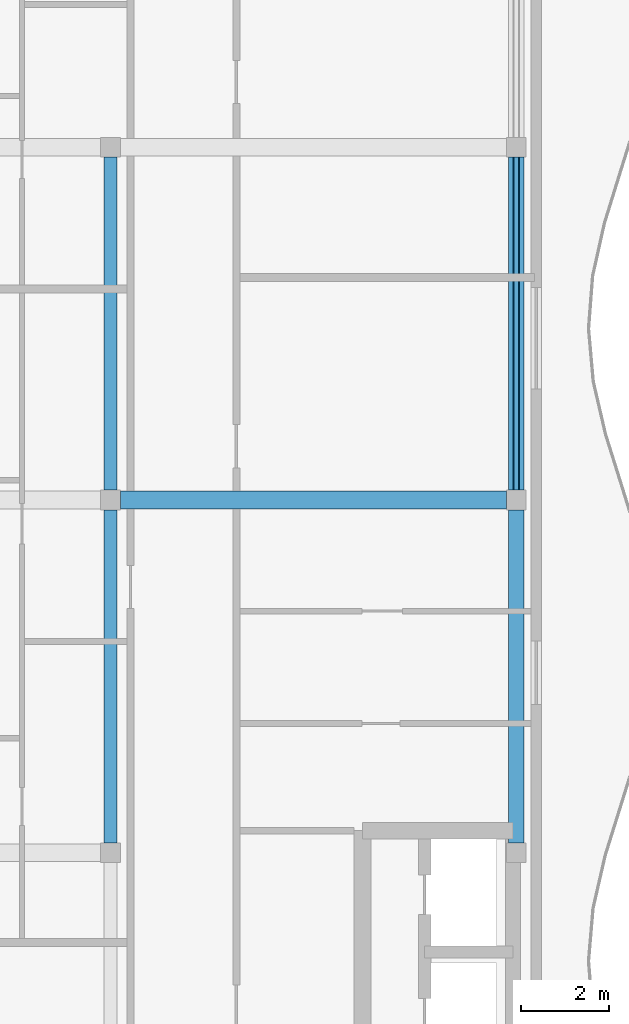
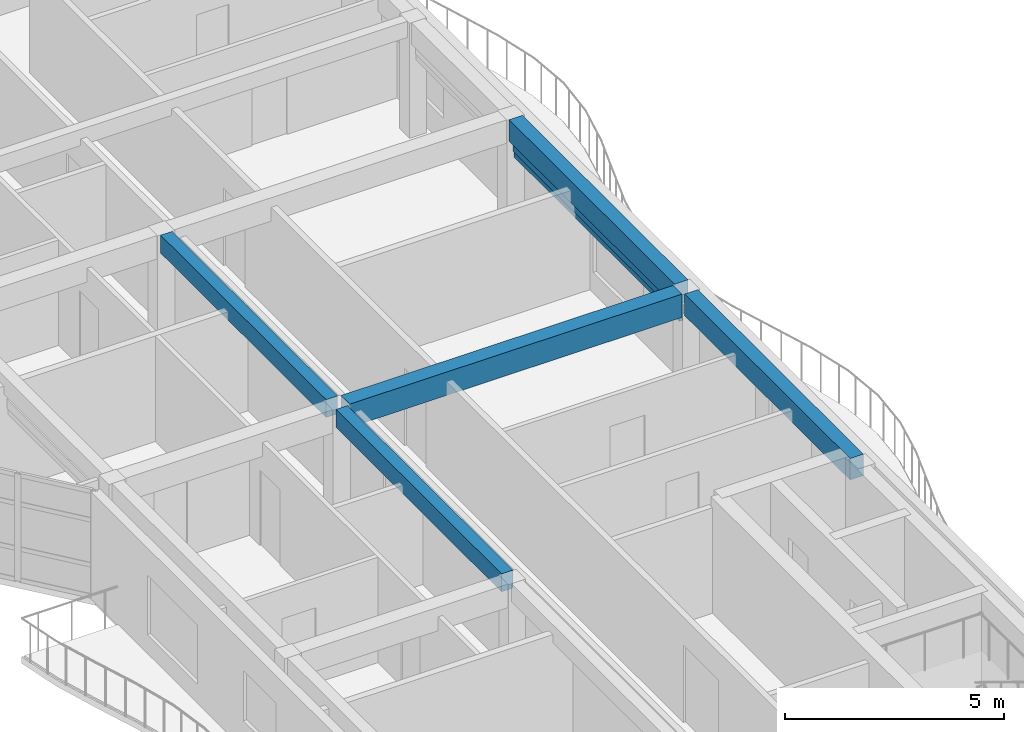
# One storey, part 6 of 18: 5 beams, 2 members.
"""IFC4 building model written with IfcOpenShell, lengths in metres."""

from ifc_helpers import new_model, si_unit, direction, frame, origin, origin_2d, place, context, subcontext, project, spatial, rectangle, hollow_rectangle, extrude, material, material_profile, profile_set, type_object, element, save


model = new_model("IFC4")

# Units and contexts
model_context = context("Model", 3, precision=1e-05, world=origin(), true_north=direction((0.0, 1.0)))
body_context = subcontext(model_context, "Body", "Model", "MODEL_VIEW")
ifc_project = project(units=[si_unit("LENGTHUNIT", "METRE"), si_unit("AREAUNIT", "SQUARE_METRE"), si_unit("VOLUMEUNIT", "CUBIC_METRE"), si_unit("PLANEANGLEUNIT", "RADIAN"), si_unit("MASSUNIT", "GRAM", prefix="KILO")], contexts=[model_context])

# Site, building, storey
site_placement = place(None, origin())
site = spatial("IfcSite", under=ifc_project, at=site_placement, CompositionType="ELEMENT")
building_placement = place(site_placement, origin())
building = spatial("IfcBuilding", under=site, at=building_placement, Name="Keldmere Railside Commons", CompositionType="ELEMENT")
storey_placement = place(building_placement, frame((0.0, 0.0, 39.360107421875)))
storey = spatial("IfcBuildingStorey", under=building, at=storey_placement, Name="L12", CompositionType="ELEMENT", Elevation=39.360107421875)

# Member
ifc_material_1 = material(Name="Steel F-36 (S355)", Category="steel")
ifc_material_profile_1 = material_profile(ifc_material_1, hollow_rectangle(XDim=0.14990234375, YDim=0.25, WallThickness=0.010009765625, at=origin_2d()), Name="RHS-250x150x10")
ifc_profile_set_1 = profile_set([ifc_material_profile_1], Name="Steel F-36 (S355)")
member_type_1 = type_object("IfcMemberType", Name="Balcony Continuous Planted Trough RHS250x150", PredefinedType="CHORD", material=ifc_profile_set_1)
member_1_placement = place(storey_placement, frame((183.550048828125, 88.22509765625, 2.414794921875), z_axis=(0.0, 1.0, 0.0), x_axis=(-1.0, 0.0, 0.0)))
element("IfcMember", 1, at=member_1_placement, inside=storey, type_object=member_type_1, Name="PLT-1 MEM-BPLT-1041", PredefinedType="CHORD", context=body_context, shape_type="SweptSolid", body=[
    extrude(hollow_rectangle(XDim=0.14990234375, YDim=0.25, WallThickness=0.010009765625, at=origin_2d()), origin(), (0.0, 0.0, 1.0), 7.5498046875),
])

# Beams
ifc_material_2 = material(Name="Concrete H-30 (C30/37)", Category="concrete")
ifc_material_profile_2 = material_profile(ifc_material_2, rectangle(XDim=0.35009765625, YDim=0.60009765625, at=origin_2d()), Name="RC-350x600")
ifc_profile_set_2 = profile_set([ifc_material_profile_2], Name="Concrete H-30 (C30/37)")
beam_type_1 = type_object("IfcBeamType", Name="Residential Chord RC Beam 350x600", PredefinedType="BEAM", material=ifc_profile_set_2)
for number, where, z_axis, x_axis, name in (
    (2, (183.550048828125, 80.22509765625, 2.89990234375), (0.0, 1.0, 0.0), (-1.0, 0.0, 0.0), "BG-4 BM-L12-2510"),
    (3, (183.550048828125, 88.22509765625, 2.89990234375), (0.0, 1.0, 0.0), (-1.0, 0.0, 0.0), "BG-4 BM-L12-2511"),
):
    element("IfcBeam", number, at=place(storey_placement, frame(where, z_axis=z_axis, x_axis=x_axis)), inside=storey, type_object=beam_type_1, Name=name, PredefinedType="BEAM", context=body_context, shape_type="SweptSolid", body=[
        extrude(rectangle(XDim=0.35009765625, YDim=0.60009765625, at=origin_2d()), origin(), (0.0, 0.0, 1.0), 7.5498046875),
    ])
ifc_material_profile_3 = material_profile(ifc_material_2, rectangle(XDim=0.39990234375, YDim=0.64990234375, at=origin_2d()), Name="RC-400x650")
ifc_profile_set_3 = profile_set([ifc_material_profile_3], Name="Concrete H-30 (C30/37)")
beam_type_2 = type_object("IfcBeamType", Name="Residential Spine RC Girder 400x650", PredefinedType="BEAM", material=ifc_profile_set_3)
beam_placement = place(storey_placement, frame((174.574951171875, 88.0, 2.875), z_axis=(1.0, 0.0, 0.0), x_axis=(0.0, 1.0, 0.0)))
element("IfcBeam", 4, at=beam_placement, inside=storey, type_object=beam_type_2, Name="BG-3 BM-L12-2490", PredefinedType="BEAM", context=body_context, shape_type="SweptSolid", body=[
    extrude(rectangle(XDim=0.39990234375, YDim=0.64990234375, at=origin_2d()), origin(), (0.0, 0.0, 1.0), 8.75),
])
ifc_material_profile_4 = material_profile(ifc_material_2, rectangle(XDim=0.300048828125, YDim=0.5, at=origin_2d()), Name="RC-300x500")
ifc_profile_set_4 = profile_set([ifc_material_profile_4], Name="Concrete H-30 (C30/37)")
beam_type_3 = type_object("IfcBeamType", Name="Secondary Frame RC Beam 300x500", PredefinedType="BEAM", material=ifc_profile_set_4)
for number, where, z_axis, x_axis, name in (
    (5, (174.35009765625, 80.22509765625, 2.949951171875), (0.0, 1.0, 0.0), (-1.0, 0.0, 0.0), "BG-5 BM-L12-2508"),
    (6, (174.35009765625, 88.22509765625, 2.949951171875), (0.0, 1.0, 0.0), (-1.0, 0.0, 0.0), "BG-5 BM-L12-2509"),
):
    element("IfcBeam", number, at=place(storey_placement, frame(where, z_axis=z_axis, x_axis=x_axis)), inside=storey, type_object=beam_type_3, Name=name, PredefinedType="BEAM", context=body_context, shape_type="SweptSolid", body=[
        extrude(rectangle(XDim=0.300048828125, YDim=0.5, at=origin_2d()), origin(), (0.0, 0.0, 1.0), 7.5498046875),
    ])

# Member
ifc_material_profile_5 = material_profile(ifc_material_1, hollow_rectangle(XDim=0.10009765625, YDim=0.159912109375, WallThickness=0.008056640625, at=origin_2d()), Name="RHS-160x100x8")
ifc_profile_set_5 = profile_set([ifc_material_profile_5], Name="Steel F-36 (S355)")
member_type_2 = type_object("IfcMemberType", Name="Solar Brise-Soleil Louvre Fin RHS160x100", PredefinedType="STRUT", material=ifc_profile_set_5)
member_2_placement = place(storey_placement, frame((183.550048828125, 88.22509765625, 2.199951171875), z_axis=(0.0, 1.0, 0.0), x_axis=(-1.0, 0.0, 0.0)))
element("IfcMember", 7, at=member_2_placement, inside=storey, type_object=member_type_2, Name="BSF-1 MEM-BSF-1042", PredefinedType="STRUT", context=body_context, shape_type="SweptSolid", body=[
    extrude(hollow_rectangle(XDim=0.10009765625, YDim=0.159912109375, WallThickness=0.008056640625, at=origin_2d()), origin(), (0.0, 0.0, 1.0), 7.5498046875),
])

save(model, "model.ifc")
